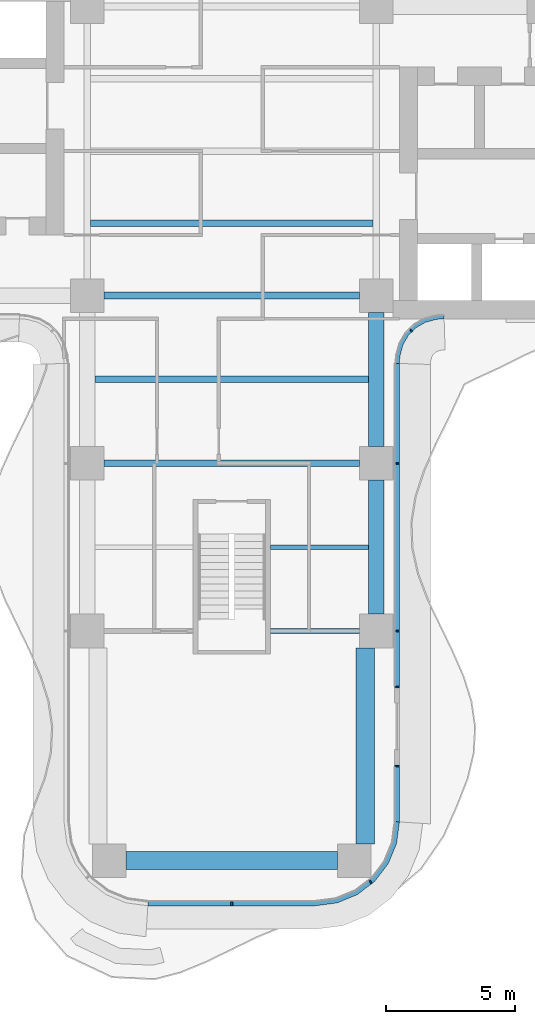
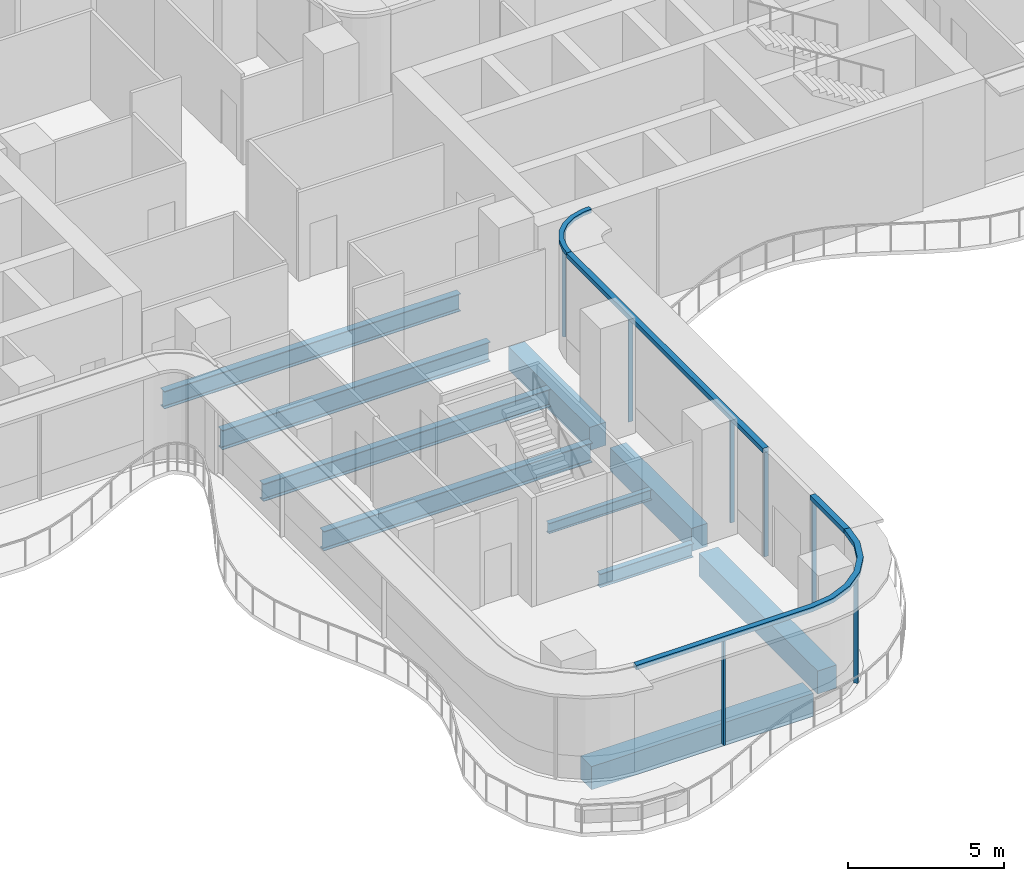
# One storey, part 5 of 21: 11 members, 10 beams, 4 elements without a shape of their own.
"""IFC4 building model written with IfcOpenShell, lengths in metres."""

from ifc_helpers import new_model, si_unit, direction, frame, origin, origin_2d, place, context, subcontext, project, spatial, polyline, rectangle, i_section, outline, extrude, source, transform, mapped, material, layer, layer_set, material_profile, profile_set, type_object, element, aggregate, save


model = new_model("IFC4")

# Units and contexts
model_context = context("Model", 3, precision=1e-05, world=origin(), true_north=direction((0.0, 1.0)))
body_context = subcontext(model_context, "Body", "Model", "MODEL_VIEW")
ifc_project = project(units=[si_unit("LENGTHUNIT", "METRE"), si_unit("AREAUNIT", "SQUARE_METRE"), si_unit("VOLUMEUNIT", "CUBIC_METRE"), si_unit("PLANEANGLEUNIT", "RADIAN"), si_unit("MASSUNIT", "GRAM", prefix="KILO")], contexts=[model_context])

# Site, building, storey
site_placement = place(None, origin())
site = spatial("IfcSite", under=ifc_project, at=site_placement, CompositionType="ELEMENT")
building_placement = place(site_placement, origin())
building = spatial("IfcBuilding", under=site, at=building_placement, Name="Trellis Farm Tower", CompositionType="ELEMENT")
storey_placement = place(building_placement, frame((0.0, 0.0, 106.5)))
storey = spatial("IfcBuildingStorey", under=building, at=storey_placement, Name="L22", CompositionType="ELEMENT", Elevation=106.5)

# Beams
ifc_material_1 = material(Name="Steel S355", Category="steel")
ifc_material_profile_1 = material_profile(ifc_material_1, i_section(OverallWidth=0.253662109375, OverallDepth=0.68359375, WebThickness=0.012451171875, FlangeThickness=0.021728515625, FilletRadius=0.01513671875, at=origin_2d()), Name="UB 686x254x140")
ifc_profile_set_1 = profile_set([ifc_material_profile_1], Name="Steel S355")
beam_type_1 = type_object("IfcBeamType", Name="UB 686x254x140 joist", PredefinedType="JOIST", material=ifc_profile_set_1)
shared_shape_1 = source(origin(), body_context, "Body", "SweptSolid", [
    extrude(i_section(OverallWidth=0.253662109375, OverallDepth=0.68359375, WebThickness=0.012451171875, FlangeThickness=0.021728515625, FilletRadius=0.01513671875, at=origin_2d()), origin(), (0.0, 0.0, 1.0), 10.93310546875),
])
beam_1_placement = place(storey_placement, frame((-5.466552734375, -2.800048828125, -0.591796875), z_axis=(1.0, 0.0, 0.0), x_axis=(0.0, 1.0, 0.0)))
element("IfcBeam", 1, at=beam_1_placement, inside=storey, type_object=beam_type_1, Name="Floor beam", PredefinedType="JOIST", context=body_context, shape_type="MappedRepresentation", body=[
    mapped(shared_shape_1, transform((0.0, 0.0, 0.0))),
])
ifc_material_profile_2 = material_profile(ifc_material_1, i_section(OverallWidth=0.177978515625, OverallDepth=0.406494140625, WebThickness=0.0078125, FlangeThickness=0.0126953125, FilletRadius=0.01025390625, at=origin_2d()), Name="UB 406x178x60")
ifc_profile_set_2 = profile_set([ifc_material_profile_2], Name="Steel S355")
beam_type_2 = type_object("IfcBeamType", Name="UB 406x178x60 joist", PredefinedType="JOIST", material=ifc_profile_set_2)
shared_shape_2 = source(origin(), body_context, "Body", "SweptSolid", [
    extrude(i_section(OverallWidth=0.177978515625, OverallDepth=0.406494140625, WebThickness=0.0078125, FlangeThickness=0.0126953125, FilletRadius=0.01025390625, at=origin_2d()), origin(), (0.0, 0.0, 1.0), 3.800048828125),
])
beam_2_placement = place(storey_placement, frame((1.5, -15.35009765625, -0.453125), z_axis=(1.0, 0.0, 0.0), x_axis=(0.0, 1.0, 0.0)))
element("IfcBeam", 2, at=beam_2_placement, inside=storey, type_object=beam_type_2, Name="Floor beam", PredefinedType="JOIST", context=body_context, shape_type="MappedRepresentation", body=[
    mapped(shared_shape_2, transform((0.0, 0.0, 0.0))),
])
shared_shape_3 = source(origin(), body_context, "Body", "SweptSolid", [
    extrude(i_section(OverallWidth=0.253662109375, OverallDepth=0.68359375, WebThickness=0.012451171875, FlangeThickness=0.021728515625, FilletRadius=0.01513671875, at=origin_2d()), origin(), (0.0, 0.0, 1.0), 10.60009765625),
])
beam_3_placement = place(storey_placement, frame((-5.300048828125, -8.85009765625, -0.591796875), z_axis=(1.0, 0.0, 0.0), x_axis=(0.0, 1.0, 0.0)))
element("IfcBeam", 3, at=beam_3_placement, inside=storey, type_object=beam_type_1, Name="Floor beam", PredefinedType="JOIST", context=body_context, shape_type="MappedRepresentation", body=[
    mapped(shared_shape_3, transform((0.0, 0.0, 0.0))),
])
ifc_material_profile_3 = material_profile(ifc_material_1, i_section(OverallWidth=0.209228515625, OverallDepth=0.533203125, WebThickness=0.010009765625, FlangeThickness=0.015625, FilletRadius=0.0126953125, at=origin_2d()), Name="UB 533x210x92")
ifc_profile_set_3 = profile_set([ifc_material_profile_3], Name="Steel S355")
beam_type_3 = type_object("IfcBeamType", Name="UB 533x210x92", PredefinedType="BEAM", material=ifc_profile_set_3)
shared_shape_4 = source(origin(), body_context, "Body", "SweptSolid", [
    extrude(i_section(OverallWidth=0.209228515625, OverallDepth=0.533203125, WebThickness=0.010009765625, FlangeThickness=0.015625, FilletRadius=0.0126953125, at=origin_2d()), origin(), (0.0, 0.0, 1.0), 3.449951171875),
])
beam_4_placement = place(storey_placement, frame((1.5, -18.60009765625, -0.5166015625), z_axis=(1.0, 0.0, 0.0), x_axis=(0.0, 1.0, 0.0)))
element("IfcBeam", 4, at=beam_4_placement, inside=storey, type_object=beam_type_3, Name="Girder", PredefinedType="BEAM", context=body_context, shape_type="MappedRepresentation", body=[
    mapped(shared_shape_4, transform((0.0, 0.0, 0.0))),
])
ifc_material_profile_4 = material_profile(ifc_material_1, i_section(OverallWidth=0.2666015625, OverallDepth=0.76220703125, WebThickness=0.014404296875, FlangeThickness=0.021484375, FilletRadius=0.0166015625, at=origin_2d()), Name="UB 762x267x173")
ifc_profile_set_4 = profile_set([ifc_material_profile_4], Name="Steel S355")
beam_type_4 = type_object("IfcBeamType", Name="UB 762x267x173", PredefinedType="BEAM", material=ifc_profile_set_4)
shared_shape_5 = source(origin(), body_context, "Body", "SweptSolid", [
    extrude(i_section(OverallWidth=0.2666015625, OverallDepth=0.76220703125, WebThickness=0.014404296875, FlangeThickness=0.021484375, FilletRadius=0.0166015625, at=origin_2d()), origin(), (0.0, 0.0, 1.0), 9.89990234375),
])
for number, where, z_axis, x_axis, name in (
    (5, (-4.949951171875, -12.10009765625, -0.631103515625), (1.0, 0.0, 0.0), (0.0, 1.0, 0.0), "Girder"),
    (6, (-4.949951171875, -5.60009765625, -0.631103515625), (1.0, 0.0, 0.0), (0.0, 1.0, 0.0), "Girder"),
):
    element("IfcBeam", number, at=place(storey_placement, frame(where, z_axis=z_axis, x_axis=x_axis)), inside=storey, type_object=beam_type_4, Name=name, PredefinedType="BEAM", context=body_context, shape_type="MappedRepresentation", body=[
        mapped(shared_shape_5, transform((0.0, 0.0, 0.0))),
    ])
ifc_material_2 = material(Name="Concrete C60/75", Category="concrete")
ifc_material_profile_5 = material_profile(ifc_material_2, rectangle(XDim=0.60009765625, YDim=0.89990234375, at=origin_2d()), Name="RC spandrel beam 600x900 C60/75")
ifc_profile_set_5 = profile_set([ifc_material_profile_5], Name="Concrete C60/75")
beam_type_5 = type_object("IfcBeamType", Name="RC spandrel beam 600x900 C60/75", PredefinedType="SPANDREL", material=ifc_profile_set_5)
shared_shape_6 = source(origin(), body_context, "Body", "SweptSolid", [
    extrude(rectangle(XDim=0.60009765625, YDim=0.89990234375, at=origin_2d()), origin(), (0.0, 0.0, 1.0), 5.199951171875),
])
for number, where, z_axis, x_axis, name in (
    (7, (5.60009765625, -17.949951171875, -0.699951171875), (0.0, 1.0, 0.0), (-1.0, 0.0, 0.0), "Girder"),
    (8, (5.60009765625, -11.449951171875, -0.699951171875), (0.0, 1.0, 0.0), (-1.0, 0.0, 0.0), "Girder"),
):
    element("IfcBeam", number, at=place(storey_placement, frame(where, z_axis=z_axis, x_axis=x_axis)), inside=storey, type_object=beam_type_5, Name=name, PredefinedType="SPANDREL", context=body_context, shape_type="MappedRepresentation", body=[
        mapped(shared_shape_6, transform((0.0, 0.0, 0.0))),
    ])
ifc_material_profile_6 = material_profile(ifc_material_2, rectangle(XDim=0.699951171875, YDim=0.89990234375, at=origin_2d()), Name="RC spandrel beam 700x900 C60/75")
ifc_profile_set_6 = profile_set([ifc_material_profile_6], Name="Concrete C60/75")
beam_type_6 = type_object("IfcBeamType", Name="RC spandrel beam 700x900 C60/75", PredefinedType="SPANDREL", material=ifc_profile_set_6)
shared_shape_7 = source(origin(), body_context, "Body", "SweptSolid", [
    extrude(rectangle(XDim=0.699951171875, YDim=0.89990234375, at=origin_2d()), origin(), (0.0, 0.0, 1.0), 8.2001953125),
])
beam_5_placement = place(storey_placement, frame((-4.10009765625, -27.5, -0.699951171875), z_axis=(1.0, 0.0, 0.0), x_axis=(0.0, 1.0, 0.0)))
element("IfcBeam", 9, at=beam_5_placement, inside=storey, type_object=beam_type_6, Name="Girder", PredefinedType="SPANDREL", context=body_context, shape_type="MappedRepresentation", body=[
    mapped(shared_shape_7, transform((0.0, 0.0, 0.0))),
])
shared_shape_8 = source(origin(), body_context, "Body", "SweptSolid", [
    extrude(rectangle(XDim=0.699951171875, YDim=0.89990234375, at=origin_2d()), origin(), (0.0, 0.0, 1.0), 7.60009765625),
])
beam_6_placement = place(storey_placement, frame((5.175048828125, -26.85009765625, -0.699951171875), z_axis=(0.0, 1.0, 0.0), x_axis=(-1.0, 0.0, 0.0)))
element("IfcBeam", 10, at=beam_6_placement, inside=storey, type_object=beam_type_6, Name="Girder", PredefinedType="SPANDREL", context=body_context, shape_type="MappedRepresentation", body=[
    mapped(shared_shape_8, transform((0.0, 0.0, 0.0))),
])

# Curtain wall, members
ifc_material_3 = material(Name="Aluminium and glass curtain wall", Category="aluminium")
ifc_layer_1 = layer(ifc_material_3, 0.18994140625)
ifc_layer_set_1 = layer_set([ifc_layer_1], Name="RIBBON CURTAIN WALL CW1")
curtain_wall_type_1 = type_object("IfcCurtainWallType", Name="RIBBON CURTAIN WALL CW1", PredefinedType="NOTDEFINED", material=ifc_layer_set_1)
placement_1 = place(storey_placement, origin())
curtain_wall_1 = element("IfcCurtainWall", 11, at=placement_1, inside=storey, type_object=curtain_wall_type_1, Name="CW1 003", PredefinedType="NOTDEFINED")
ifc_material_4 = material(Name="Aluminium extrusion 6063-T6", Category="aluminium")
ifc_material_profile_7 = material_profile(ifc_material_4, rectangle(XDim=0.06005859375, YDim=0.14990234375, at=origin_2d()), Name="MULLION 60x150")
ifc_profile_set_7 = profile_set([ifc_material_profile_7], Name="Aluminium extrusion 6063-T6")
member_type_1 = type_object("IfcMemberType", Name="CW1 MULLION 60x150", PredefinedType="MULLION", material=ifc_profile_set_7)
shared_shape_9 = source(origin(), body_context, "Body", "SweptSolid", [
    extrude(rectangle(XDim=0.06005859375, YDim=0.14990234375, at=origin_2d()), origin(), (0.0, 0.0, 1.0), 4.070068359375),
])
member_1_placement = place(storey_placement, frame((0.0, -29.175048828125, 0.0), z_axis=(0.0, 0.0, 1.0), x_axis=(1.0, 0.0, 0.0)))
member_1 = element("IfcMember", 12, at=member_1_placement, type_object=member_type_1, Name="MU1 003-01", PredefinedType="MULLION", context=body_context, shape_type="MappedRepresentation", body=[
    mapped(shared_shape_9, transform((0.0, 0.0, 0.0))),
])
member_2_placement = place(storey_placement, frame((5.385498046875, -28.328369140625, 0.0), z_axis=(0.0, 0.0, 1.0), x_axis=(0.793353340291, 0.608761429009, 0.0)))
member_2 = element("IfcMember", 13, at=member_2_placement, type_object=member_type_1, Name="MU1 003-02", PredefinedType="MULLION", context=body_context, shape_type="MappedRepresentation", body=[
    mapped(shared_shape_9, transform((0.0, 0.0, 0.0))),
])

# Curtain wall, member
curtain_wall_2 = element("IfcCurtainWall", 14, at=placement_1, inside=storey, type_object=curtain_wall_type_1, Name="CW1 004", PredefinedType="NOTDEFINED")
member_3_placement = place(storey_placement, frame((6.425048828125, -23.830078125, 0.0), z_axis=(0.0, 0.0, 1.0), x_axis=(0.0, 1.0, 0.0)))
member_3 = element("IfcMember", 15, at=member_3_placement, type_object=member_type_1, Name="MU1 004-01", PredefinedType="MULLION", context=body_context, shape_type="MappedRepresentation", body=[
    mapped(shared_shape_9, transform((0.0, 0.0, 0.0))),
])

# Curtain wall, members
curtain_wall_3 = element("IfcCurtainWall", 16, at=placement_1, inside=storey, type_object=curtain_wall_type_1, Name="CW1 005", PredefinedType="NOTDEFINED")
member_4_placement = place(storey_placement, frame((6.425048828125, -20.77001953125, 0.0), z_axis=(0.0, 0.0, 1.0), x_axis=(0.0, 1.0, 0.0)))
member_4 = element("IfcMember", 17, at=member_4_placement, type_object=member_type_1, Name="MU1 005-01", PredefinedType="MULLION", context=body_context, shape_type="MappedRepresentation", body=[
    mapped(shared_shape_9, transform((0.0, 0.0, 0.0))),
])
member_5_placement = place(storey_placement, frame((6.425048828125, -18.60009765625, 0.0), z_axis=(0.0, 0.0, 1.0), x_axis=(0.0, 1.0, 0.0)))
member_5 = element("IfcMember", 18, at=member_5_placement, type_object=member_type_1, Name="MU1 005-02", PredefinedType="MULLION", context=body_context, shape_type="MappedRepresentation", body=[
    mapped(shared_shape_9, transform((0.0, 0.0, 0.0))),
])
member_6_placement = place(storey_placement, frame((6.425048828125, -12.10009765625, 0.0), z_axis=(0.0, 0.0, 1.0), x_axis=(0.0, 1.0, 0.0)))
member_6 = element("IfcMember", 19, at=member_6_placement, type_object=member_type_1, Name="MU1 005-03", PredefinedType="MULLION", context=body_context, shape_type="MappedRepresentation", body=[
    mapped(shared_shape_9, transform((0.0, 0.0, 0.0))),
])

# Curtain wall, member
ifc_layer_2 = layer(ifc_material_3, 0.166015625)
ifc_layer_set_2 = layer_set([ifc_layer_2], Name="WINTER GARDEN CURTAIN WALL CW3")
curtain_wall_type_2 = type_object("IfcCurtainWallType", Name="WINTER GARDEN CURTAIN WALL CW3", PredefinedType="NOTDEFINED", material=ifc_layer_set_2)
curtain_wall_4 = element("IfcCurtainWall", 20, at=placement_1, inside=storey, type_object=curtain_wall_type_2, Name="CW3 002", PredefinedType="NOTDEFINED")
ifc_material_profile_8 = material_profile(ifc_material_4, rectangle(XDim=0.050048828125, YDim=0.1201171875, at=origin_2d()), Name="MULLION 50x120")
ifc_profile_set_8 = profile_set([ifc_material_profile_8], Name="Aluminium extrusion 6063-T6")
member_type_2 = type_object("IfcMemberType", Name="CW3 MULLION 50x120", PredefinedType="MULLION", material=ifc_profile_set_8)
shared_shape_10 = source(origin(), body_context, "Body", "SweptSolid", [
    extrude(rectangle(XDim=0.050048828125, YDim=0.1201171875, at=origin_2d()), origin(), (0.0, 0.0, 1.0), 4.10009765625),
])
member_7_placement = place(storey_placement, frame((6.953125, -6.953125, 0.0), z_axis=(0.0, 0.0, 1.0), x_axis=(0.707106781187, 0.707106781187, 0.0)))
member_7 = element("IfcMember", 21, at=member_7_placement, type_object=member_type_2, Name="MU3 002-01", PredefinedType="MULLION", context=body_context, shape_type="MappedRepresentation", body=[
    mapped(shared_shape_10, transform((0.0, 0.0, 0.0))),
])

# Member
ifc_layer_3 = layer(ifc_material_4, 0.199951171875)
ifc_layer_set_3 = layer_set([ifc_layer_3], Name="Aluminium extrusion 6063-T6")
member_type_3 = type_object("IfcMemberType", Name="CW1 TRANSOM 200x180", PredefinedType="USERDEFINED", material=ifc_layer_set_3)
shared_shape_11 = source(origin(), body_context, "Body", "SweptSolid", [
    extrude(outline(polyline([(-3.25, -29.25), (3.25, -29.25), (4.091064453125, -29.13916015625), (4.875, -28.814697265625), (5.548095703125, -28.298095703125), (6.064697265625, -27.625), (6.38916015625, -26.841064453125), (6.5, -26.0), (6.300048828125, -25.98681640625), (6.1943359375, -26.7890625), (5.889892578125, -27.524169921875), (5.405517578125, -28.155517578125), (4.774169921875, -28.639892578125), (4.0390625, -28.9443359375), (3.23681640625, -29.050048828125), (-3.23681640625, -29.050048828125), (-3.25, -29.25)])), origin(), (0.0, 0.0, 1.0), 0.179931640625),
])
placement_2 = place(storey_placement, frame((0.0, 0.0, 4.070068359375)))
member_8 = element("IfcMember", 22, at=placement_2, type_object=member_type_3, Name="TR1 003", ObjectType="TRANSOM", PredefinedType="USERDEFINED", context=body_context, shape_type="MappedRepresentation", body=[
    mapped(shared_shape_11, transform((0.0, 0.0, 0.0))),
])

aggregate(curtain_wall_1, [member_1, member_2, member_8])

ifc_layer_4 = layer(ifc_material_4, 0.169921875)
ifc_layer_set_4 = layer_set([ifc_layer_4], Name="Aluminium extrusion 6063-T6")
member_type_4 = type_object("IfcMemberType", Name="CW3 TRANSOM 170x150", PredefinedType="USERDEFINED", material=ifc_layer_set_4)
shared_shape_12 = source(origin(), body_context, "Body", "SweptSolid", [
    extrude(outline(polyline([(6.5, -8.2314453125), (6.513916015625, -8.01953125), (6.527587890625, -7.91552734375), (6.63671875, -7.508544921875), (6.846923828125, -7.144287109375), (7.144287109375, -6.846923828125), (7.508544921875, -6.63671875), (7.91552734375, -6.527587890625), (8.01953125, -6.513916015625), (8.2314453125, -6.5), (8.225830078125, -6.330078125), (8.0029296875, -6.3447265625), (7.88232421875, -6.360595703125), (7.44287109375, -6.478271484375), (7.0400390625, -6.7109375), (6.7109375, -7.0400390625), (6.478271484375, -7.44287109375), (6.360595703125, -7.88232421875), (6.3447265625, -8.0029296875), (6.330078125, -8.225830078125), (6.5, -8.2314453125)])), origin(), (0.0, 0.0, 1.0), 0.14990234375),
])
member_9_placement = place(storey_placement, frame((0.0, 0.0, 4.10009765625)))
member_9 = element("IfcMember", 23, at=member_9_placement, type_object=member_type_4, Name="TR3 002", ObjectType="TRANSOM", PredefinedType="USERDEFINED", context=body_context, shape_type="MappedRepresentation", body=[
    mapped(shared_shape_12, transform((0.0, 0.0, 0.0))),
])

aggregate(curtain_wall_4, [member_7, member_9])

shared_shape_13 = source(origin(), body_context, "Body", "SweptSolid", [
    extrude(outline(polyline([(6.5, -26.0), (6.5, -23.800048828125), (6.300048828125, -23.800048828125), (6.300048828125, -25.98681640625), (6.5, -26.0)])), origin(), (0.0, 0.0, 1.0), 0.179931640625),
])
member_10 = element("IfcMember", 24, at=placement_2, type_object=member_type_3, Name="TR1 004", ObjectType="TRANSOM", PredefinedType="USERDEFINED", context=body_context, shape_type="MappedRepresentation", body=[
    mapped(shared_shape_13, transform((0.0, 0.0, 0.0))),
])

aggregate(curtain_wall_2, [member_3, member_10])

shared_shape_14 = source(origin(), body_context, "Body", "SweptSolid", [
    extrude(outline(polyline([(6.5, -20.800048828125), (6.5, -8.2314453125), (6.300048828125, -8.224853515625), (6.300048828125, -20.800048828125), (6.5, -20.800048828125)])), origin(), (0.0, 0.0, 1.0), 0.179931640625),
])
member_11 = element("IfcMember", 25, at=placement_2, type_object=member_type_3, Name="TR1 005", ObjectType="TRANSOM", PredefinedType="USERDEFINED", context=body_context, shape_type="MappedRepresentation", body=[
    mapped(shared_shape_14, transform((0.0, 0.0, 0.0))),
])

aggregate(curtain_wall_3, [member_4, member_5, member_6, member_11])

save(model, "model.ifc")
